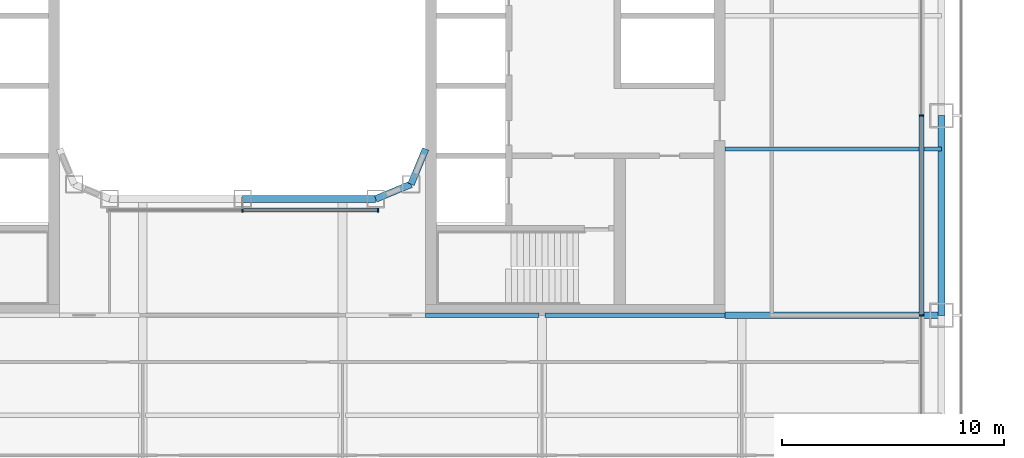
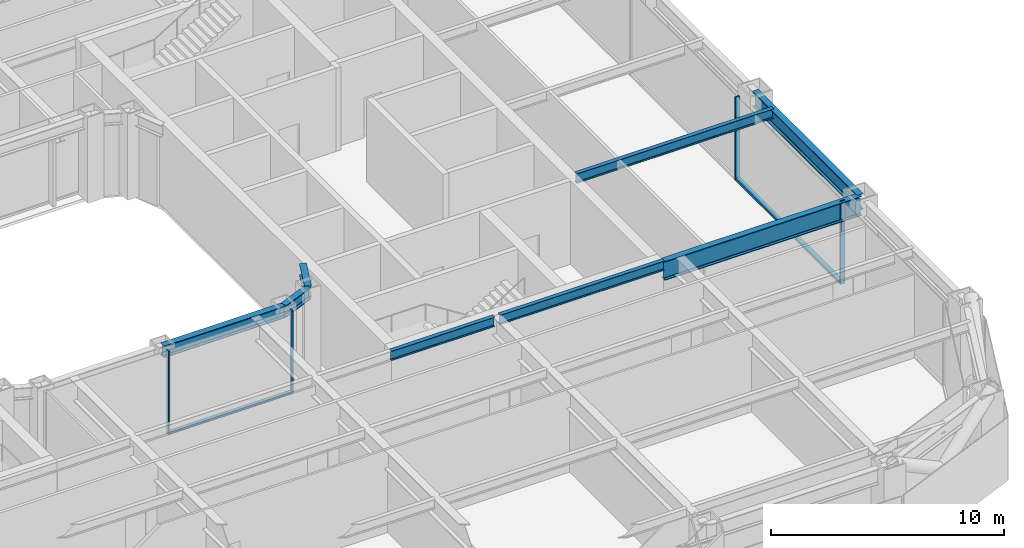
# One storey, part 5 of 30: 8 beams, 6 members, 2 elements without a shape of their own.
"""IFC4 building model written with IfcOpenShell, lengths in metres."""

from ifc_helpers import new_model, si_unit, direction, frame, origin, origin_2d, place, context, subcontext, project, spatial, rectangle, i_section, extrude, material, layer, layer_set, material_profile, profile_set, type_object, element, aggregate, save


model = new_model("IFC4")

# Units and contexts
model_context = context("Model", 3, precision=1e-05, world=origin(), true_north=direction((0.0, 1.0)))
body_context = subcontext(model_context, "Body", "Model", "MODEL_VIEW")
ifc_project = project(units=[si_unit("LENGTHUNIT", "METRE"), si_unit("AREAUNIT", "SQUARE_METRE"), si_unit("VOLUMEUNIT", "CUBIC_METRE"), si_unit("PLANEANGLEUNIT", "RADIAN"), si_unit("MASSUNIT", "GRAM", prefix="KILO")], contexts=[model_context])

# Site, building, storey
site_placement = place(None, origin())
site = spatial("IfcSite", under=ifc_project, at=site_placement, CompositionType="ELEMENT")
building_placement = place(site_placement, origin())
building = spatial("IfcBuilding", under=site, at=building_placement, Name="Siwar Civic Tower", CompositionType="ELEMENT")
storey_placement = place(building_placement, frame((0.0, 0.0, 26.699951171875)))
storey = spatial("IfcBuildingStorey", under=building, at=storey_placement, Name="L05", CompositionType="ELEMENT", Elevation=26.699951171875)

# Curtain wall, members
ifc_material_1 = material(Name="Aluminium and glass", Category="aluminium")
ifc_layer_1 = layer(ifc_material_1, 0.219970703125)
ifc_layer_set_1 = layer_set([ifc_layer_1], Name="Aluminium and glass")
curtain_wall_type_1 = type_object("IfcCurtainWallType", Name="ENV-CW-A", PredefinedType="NOTDEFINED", material=ifc_layer_set_1)
curtain_wall_1_placement = place(storey_placement, origin())
curtain_wall_1 = element("IfcCurtainWall", 1, at=curtain_wall_1_placement, inside=storey, type_object=curtain_wall_type_1, Name="Curtain wall A E", PredefinedType="NOTDEFINED")
ifc_material_2 = material(Name="Aluminium 6063-T6", Category="aluminium")
ifc_material_profile_1 = material_profile(ifc_material_2, rectangle(XDim=0.219970703125, YDim=0.070068359375, at=origin_2d()), Name="AL 220x70")
ifc_profile_set_1 = profile_set([ifc_material_profile_1], Name="Aluminium 6063-T6")
member_type_1 = type_object("IfcMemberType", Name="ENV-MULLION-A", PredefinedType="MULLION", material=ifc_profile_set_1)
member_1_placement = place(storey_placement, frame((30.60009765625, -13.5, 0.0), z_axis=(0.0, 0.0, 1.0), x_axis=(-1.0, 0.0, 0.0)))
member_1 = element("IfcMember", 2, at=member_1_placement, type_object=member_type_1, Name="Mullion A E 2", PredefinedType="MULLION", context=body_context, shape_type="SweptSolid", body=[
    extrude(rectangle(XDim=0.219970703125, YDim=0.070068359375, at=origin_2d()), origin(), (0.0, 0.0, 1.0), 4.35009765625),
])
member_2_placement = place(storey_placement, frame((30.60009765625, -4.5, 0.0), z_axis=(0.0, 0.0, 1.0), x_axis=(-1.0, 0.0, 0.0)))
member_2 = element("IfcMember", 3, at=member_2_placement, type_object=member_type_1, Name="Mullion A E 3", PredefinedType="MULLION", context=body_context, shape_type="SweptSolid", body=[
    extrude(rectangle(XDim=0.219970703125, YDim=0.070068359375, at=origin_2d()), origin(), (0.0, 0.0, 1.0), 4.35009765625),
])

ifc_material_3 = material(Name="Aluminium and glass", Category="aluminium")
ifc_layer_2 = layer(ifc_material_3, 0.179931640625)
ifc_layer_set_2 = layer_set([ifc_layer_2], Name="Aluminium and glass")
curtain_wall_type_2 = type_object("IfcCurtainWallType", Name="ENV-CW-W", PredefinedType="NOTDEFINED", material=ifc_layer_set_2)
curtain_wall_2_placement = place(storey_placement, origin())
curtain_wall_2 = element("IfcCurtainWall", 4, at=curtain_wall_2_placement, inside=storey, type_object=curtain_wall_type_2, Name="Curtain wall W WS", PredefinedType="NOTDEFINED")
ifc_material_4 = material(Name="Aluminium 6063-T6", Category="aluminium")
ifc_material_profile_2 = material_profile(ifc_material_4, rectangle(XDim=0.179931640625, YDim=0.06005859375, at=origin_2d()), Name="AL 180x60")
ifc_profile_set_2 = profile_set([ifc_material_profile_2], Name="Aluminium 6063-T6")
member_type_2 = type_object("IfcMemberType", Name="ENV-MULLION-W", PredefinedType="MULLION", material=ifc_profile_set_2)
member_3_placement = place(storey_placement, frame((0.0, -8.760009765625, 0.0), z_axis=(0.0, 0.0, 1.0), x_axis=(0.0, 1.0, 0.0)))
member_3 = element("IfcMember", 5, at=member_3_placement, type_object=member_type_2, Name="Mullion W WS 2", PredefinedType="MULLION", context=body_context, shape_type="SweptSolid", body=[
    extrude(rectangle(XDim=0.179931640625, YDim=0.06005859375, at=origin_2d()), origin(), (0.0, 0.0, 1.0), 4.35009765625),
])
member_4_placement = place(storey_placement, frame((6.1015625, -8.760009765625, 0.0), z_axis=(0.0, 0.0, 1.0), x_axis=(0.0, 1.0, 0.0)))
member_4 = element("IfcMember", 6, at=member_4_placement, type_object=member_type_2, Name="Mullion W WS 3", PredefinedType="MULLION", context=body_context, shape_type="SweptSolid", body=[
    extrude(rectangle(XDim=0.179931640625, YDim=0.06005859375, at=origin_2d()), origin(), (0.0, 0.0, 1.0), 4.35009765625),
])

# Member
ifc_material_5 = material(Name="Aluminium 6063-T6", Category="aluminium")
ifc_material_profile_3 = material_profile(ifc_material_5, rectangle(XDim=0.219970703125, YDim=0.1201171875, at=origin_2d()), Name="AL 220x120")
ifc_profile_set_3 = profile_set([ifc_material_profile_3], Name="Aluminium 6063-T6")
member_type_3 = type_object("IfcMemberType", Name="ENV-TRANSOM-A", PredefinedType="USERDEFINED", material=ifc_profile_set_3)
member_5_placement = place(storey_placement, frame((30.60009765625, -13.465087890625, 0.06005859375), z_axis=(0.0, 1.0, 0.0), x_axis=(-1.0, 0.0, 0.0)))
member_5 = element("IfcMember", 7, at=member_5_placement, type_object=member_type_3, Name="Transom A E 2", ObjectType="TRANSOM", PredefinedType="USERDEFINED", context=body_context, shape_type="SweptSolid", body=[
    extrude(rectangle(XDim=0.219970703125, YDim=0.1201171875, at=origin_2d()), origin(), (0.0, 0.0, 1.0), 8.93017578125),
])

aggregate(curtain_wall_1, [member_1, member_2, member_5])

ifc_material_6 = material(Name="Aluminium 6063-T6", Category="aluminium")
ifc_material_profile_4 = material_profile(ifc_material_6, rectangle(XDim=0.179931640625, YDim=0.10009765625, at=origin_2d()), Name="AL 180x100")
ifc_profile_set_4 = profile_set([ifc_material_profile_4], Name="Aluminium 6063-T6")
member_type_4 = type_object("IfcMemberType", Name="ENV-TRANSOM-W", PredefinedType="USERDEFINED", material=ifc_profile_set_4)
member_6_placement = place(storey_placement, frame((0.030029296875, -8.760009765625, 0.050048828125), z_axis=(1.0, 0.0, 0.0), x_axis=(0.0, 1.0, 0.0)))
member_6 = element("IfcMember", 8, at=member_6_placement, type_object=member_type_4, Name="Transom W WS 2", ObjectType="TRANSOM", PredefinedType="USERDEFINED", context=body_context, shape_type="SweptSolid", body=[
    extrude(rectangle(XDim=0.179931640625, YDim=0.10009765625, at=origin_2d()), origin(), (0.0, 0.0, 1.0), 6.04150390625),
])

aggregate(curtain_wall_2, [member_3, member_4, member_6])

# Beams
ifc_material_7 = material(Name="Steel S355", Category="steel")
ifc_material_profile_5 = material_profile(ifc_material_7, i_section(OverallWidth=0.199951171875, OverallDepth=0.5, WebThickness=0.01025390625, FlangeThickness=0.01611328125, FilletRadius=0.02099609375, at=origin_2d()), Name="IPE500")
ifc_profile_set_5 = profile_set([ifc_material_profile_5], Name="Steel S355")
beam_type_1 = type_object("IfcBeamType", Name="STR-FB-IPE500", PredefinedType="JOIST", material=ifc_profile_set_5)
beam_1_placement = place(storey_placement, frame((8.25, -13.5, 4.10009765625), z_axis=(1.0, 0.0, 0.0), x_axis=(0.0, 1.0, 0.0)))
element("IfcBeam", 9, at=beam_1_placement, inside=storey, type_object=beam_type_1, Name="L05/bm/F028", PredefinedType="JOIST", context=body_context, shape_type="SweptSolid", body=[
    extrude(i_section(OverallWidth=0.199951171875, OverallDepth=0.5, WebThickness=0.01025390625, FlangeThickness=0.01611328125, FilletRadius=0.02099609375, at=origin_2d()), origin(), (0.0, 0.0, 1.0), 5.1201171875),
])
beam_2_placement = place(storey_placement, frame((13.6298828125, -13.5, 4.10009765625), z_axis=(1.0, 0.0, 0.0), x_axis=(0.0, 1.0, 0.0)))
element("IfcBeam", 10, at=beam_2_placement, inside=storey, type_object=beam_type_1, Name="L05/bm/F029", PredefinedType="JOIST", context=body_context, shape_type="SweptSolid", body=[
    extrude(i_section(OverallWidth=0.199951171875, OverallDepth=0.5, WebThickness=0.01025390625, FlangeThickness=0.01611328125, FilletRadius=0.02099609375, at=origin_2d()), origin(), (0.0, 0.0, 1.0), 8.1201171875),
])
beam_3_placement = place(storey_placement, frame((21.75, -6.0, 4.10009765625), z_axis=(1.0, 0.0, 0.0), x_axis=(0.0, 1.0, 0.0)))
element("IfcBeam", 11, at=beam_3_placement, inside=storey, type_object=beam_type_1, Name="L05/bm/F032", PredefinedType="JOIST", context=body_context, shape_type="SweptSolid", body=[
    extrude(i_section(OverallWidth=0.199951171875, OverallDepth=0.5, WebThickness=0.01025390625, FlangeThickness=0.01611328125, FilletRadius=0.02099609375, at=origin_2d()), origin(), (0.0, 0.0, 1.0), 9.75),
])
ifc_material_8 = material(Name="Steel S355", Category="steel")
ifc_material_profile_6 = material_profile(ifc_material_8, i_section(OverallWidth=0.300048828125, OverallDepth=1.0, WebThickness=0.01904296875, FlangeThickness=0.035888671875, FilletRadius=0.030029296875, at=origin_2d()), Name="HEB1000")
ifc_profile_set_6 = profile_set([ifc_material_profile_6], Name="Steel S355")
beam_type_2 = type_object("IfcBeamType", Name="STR-PG-HEB1000", PredefinedType="BEAM", material=ifc_profile_set_6)
beam_4_placement = place(storey_placement, frame((21.75, -13.5, 3.85009765625), z_axis=(1.0, 0.0, 0.0), x_axis=(0.0, 1.0, 0.0)))
element("IfcBeam", 12, at=beam_4_placement, inside=storey, type_object=beam_type_2, Name="L05/bm/F030", PredefinedType="BEAM", context=body_context, shape_type="SweptSolid", body=[
    extrude(i_section(OverallWidth=0.300048828125, OverallDepth=1.0, WebThickness=0.01904296875, FlangeThickness=0.035888671875, FilletRadius=0.030029296875, at=origin_2d()), origin(), (0.0, 0.0, 1.0), 9.75),
])
ifc_material_9 = material(Name="Steel S355", Category="steel")
ifc_material_profile_7 = material_profile(ifc_material_9, i_section(OverallWidth=0.304931640625, OverallDepth=0.6201171875, WebThickness=0.02099609375, FlangeThickness=0.0400390625, FilletRadius=0.027099609375, at=origin_2d()), Name="HEM600")
ifc_profile_set_7 = profile_set([ifc_material_profile_7], Name="Steel S355")
beam_type_3 = type_object("IfcBeamType", Name="STR-RB-HEM600", PredefinedType="BEAM", material=ifc_profile_set_7)
beam_5_placement = place(storey_placement, frame((0.0, -8.25, 4.0400390625), z_axis=(1.0, 0.0, 0.0), x_axis=(0.0, 1.0, 0.0)))
element("IfcBeam", 13, at=beam_5_placement, inside=storey, type_object=beam_type_3, Name="L05/bm/RS2", PredefinedType="BEAM", context=body_context, shape_type="SweptSolid", body=[
    extrude(i_section(OverallWidth=0.304931640625, OverallDepth=0.6201171875, WebThickness=0.02099609375, FlangeThickness=0.0400390625, FilletRadius=0.027099609375, at=origin_2d()), origin(), (0.0, 0.0, 1.0), 6.0),
])
for number, where, z_axis, x_axis, name in (
    (14, (6.0, -8.25, 4.0400390625), (0.923901072997, 0.382631424892, 0.0), (-0.382631424892, 0.923901072997, 0.0), "L05/bm/RS3"),
    (15, (7.591064453125, -7.591064453125, 4.0400390625), (0.382631424892, 0.923901072997, 0.0), (-0.923901072997, 0.382631424892, 0.0), "L05/bm/RSEE"),
):
    element("IfcBeam", number, at=place(storey_placement, frame(where, z_axis=z_axis, x_axis=x_axis)), inside=storey, type_object=beam_type_3, Name=name, PredefinedType="BEAM", context=body_context, shape_type="SweptSolid", body=[
        extrude(i_section(OverallWidth=0.304931640625, OverallDepth=0.6201171875, WebThickness=0.02099609375, FlangeThickness=0.0400390625, FilletRadius=0.027099609375, at=origin_2d()), origin(), (0.0, 0.0, 1.0), 1.72216796875),
    ])
ifc_material_10 = material(Name="Steel S355", Category="steel")
ifc_material_profile_8 = material_profile(ifc_material_10, i_section(OverallWidth=0.302978515625, OverallDepth=0.81396484375, WebThickness=0.02099609375, FlangeThickness=0.0400390625, FilletRadius=0.030029296875, at=origin_2d()), Name="HEM800")
ifc_profile_set_8 = profile_set([ifc_material_profile_8], Name="Steel S355")
beam_type_4 = type_object("IfcBeamType", Name="STR-SB-HEM800", PredefinedType="BEAM", material=ifc_profile_set_8)
beam_6_placement = place(storey_placement, frame((31.5, -13.5, 3.943115234375), z_axis=(0.0, 1.0, 0.0), x_axis=(-1.0, 0.0, 0.0)))
element("IfcBeam", 16, at=beam_6_placement, inside=storey, type_object=beam_type_4, Name="L05/bm/SE-1", PredefinedType="BEAM", context=body_context, shape_type="SweptSolid", body=[
    extrude(i_section(OverallWidth=0.302978515625, OverallDepth=0.81396484375, WebThickness=0.02099609375, FlangeThickness=0.0400390625, FilletRadius=0.030029296875, at=origin_2d()), origin(), (0.0, 0.0, 1.0), 9.0),
])

save(model, "model.ifc")
